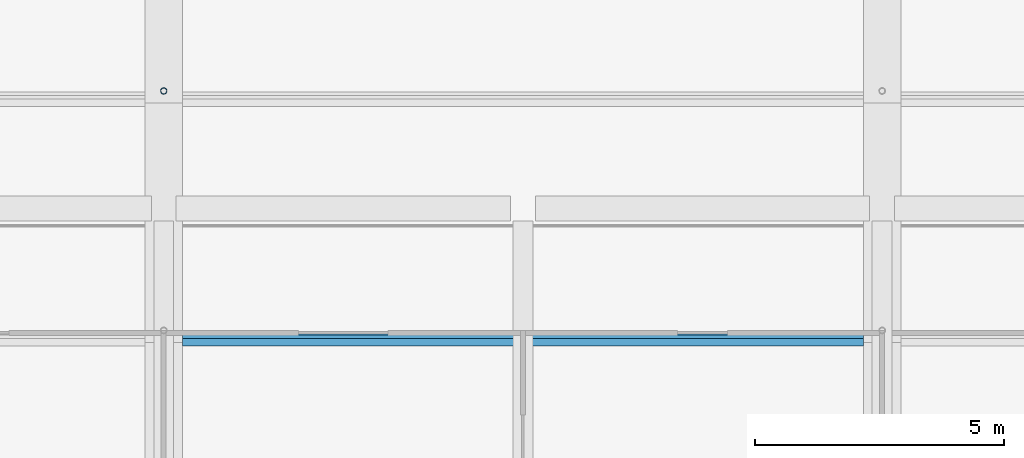
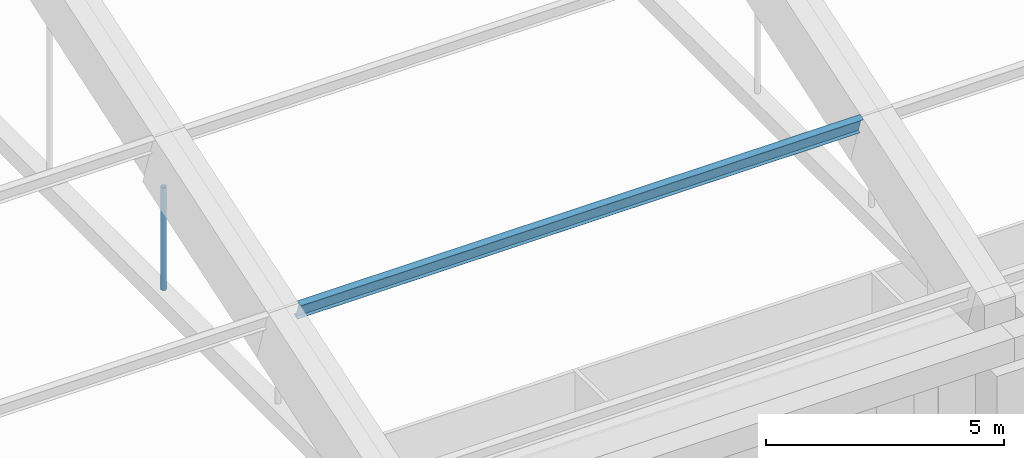
# One storey, part 15 of 149: 2 members.
"""IFC4 building model written with IfcOpenShell, lengths in metres."""

from ifc_helpers import new_model, si_unit, direction, frame, origin, origin_2d, place, context, subcontext, project, spatial, hollow_circle, i_section, extrude, material, material_profile, profile_set, type_object, element, save


model = new_model("IFC4")

# Units and contexts
model_context = context("Model", 3, precision=1e-05, world=origin(), true_north=direction((0.0, 1.0)))
body_context = subcontext(model_context, "Body", "Model", "MODEL_VIEW")
ifc_project = project(units=[si_unit("LENGTHUNIT", "METRE"), si_unit("AREAUNIT", "SQUARE_METRE"), si_unit("VOLUMEUNIT", "CUBIC_METRE"), si_unit("PLANEANGLEUNIT", "RADIAN"), si_unit("MASSUNIT", "GRAM", prefix="KILO")], contexts=[model_context])

# Site, building, storey
site_placement = place(None, origin())
site = spatial("IfcSite", under=ifc_project, at=site_placement, CompositionType="ELEMENT")
building_placement = place(site_placement, origin())
building = spatial("IfcBuilding", under=site, at=building_placement, Name="Alderwick Market Hall", CompositionType="ELEMENT")
storey_placement = place(building_placement, frame((0.0, 0.0, 9.60009765625)))
storey = spatial("IfcBuildingStorey", under=building, at=storey_placement, Name="L01", CompositionType="ELEMENT", Elevation=9.60009765625)

# Members
ifc_material_1 = material(Name="Steel ASTM A500 Grade C", Category="steel")
ifc_material_profile_1 = material_profile(ifc_material_1, hollow_circle(Radius=0.0634765625, WallThickness=0.005859375, at=origin_2d()), Name="HSS5.000x0.250")
ifc_profile_set_1 = profile_set([ifc_material_profile_1], Name="Steel ASTM A500 Grade C")
member_type_1 = type_object("IfcMemberType", Name="R Hanger HSS5.000x0.250", PredefinedType="POST", material=ifc_profile_set_1)
member_1_placement = place(storey_placement, frame((93.60009765625, 60.0, 6.35302734375), z_axis=(0.0, 0.0, 1.0), x_axis=(1.0, 0.0, 0.0)))
element("IfcMember", 1, at=member_1_placement, inside=storey, type_object=member_type_1, Name="Arch hanger 4.2", PredefinedType="POST", context=body_context, shape_type="SweptSolid", body=[
    extrude(hollow_circle(Radius=0.0634765625, WallThickness=0.005859375, at=origin_2d()), origin(), (0.0, 0.0, 1.0), 2.63525390625),
])
ifc_material_2 = material(Name="Steel ASTM A992 Grade 50", Category="steel")
ifc_material_profile_2 = material_profile(ifc_material_2, i_section(OverallWidth=0.153076171875, OverallDepth=0.455078125, WebThickness=0.008056640625, FlangeThickness=0.01318359375, at=origin_2d()), Name="W18x40")
ifc_profile_set_2 = profile_set([ifc_material_profile_2], Name="Steel ASTM A992 Grade 50")
member_type_2 = type_object("IfcMemberType", Name="R Purlin W18x40", PredefinedType="PURLIN", material=ifc_profile_set_2)
member_2_placement = place(storey_placement, frame((93.97509765625, 55.03662109375, 8.68994140625), z_axis=(1.0, 0.0, 0.0), x_axis=(0.0, 0.948683297073, 0.316227768949)))
element("IfcMember", 2, at=member_2_placement, inside=storey, type_object=member_type_2, Name="Roof purlin 2.4", PredefinedType="PURLIN", context=body_context, shape_type="SweptSolid", body=[
    extrude(i_section(OverallWidth=0.153076171875, OverallDepth=0.455078125, WebThickness=0.008056640625, FlangeThickness=0.01318359375, at=origin_2d()), origin(), (0.0, 0.0, 1.0), 13.64990234375),
])

save(model, "model.ifc")
